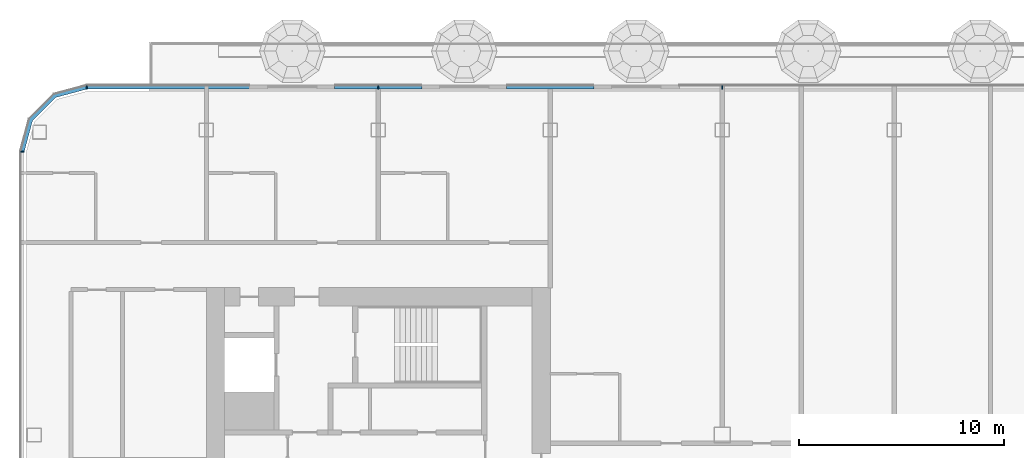
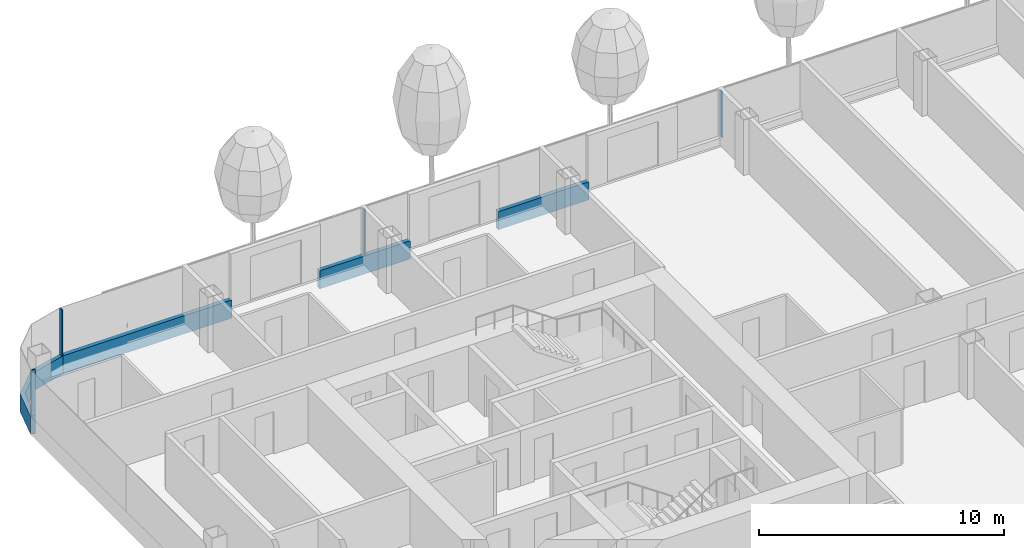
# One storey, part 5 of 29: 8 members, 3 elements without a shape of their own.
"""IFC4 building model written with IfcOpenShell, lengths in metres."""

from ifc_helpers import new_model, si_unit, direction, frame, origin, origin_2d, place, context, subcontext, project, spatial, polyline, rectangle, outline, extrude, material, layer, layer_set, material_profile, profile_set, type_object, element, aggregate, save


model = new_model("IFC4")

# Units and contexts
model_context = context("Model", 3, precision=1e-05, world=origin(), true_north=direction((0.0, 1.0)))
body_context = subcontext(model_context, "Body", "Model", "MODEL_VIEW")
ifc_project = project(units=[si_unit("LENGTHUNIT", "METRE"), si_unit("AREAUNIT", "SQUARE_METRE"), si_unit("VOLUMEUNIT", "CUBIC_METRE"), si_unit("PLANEANGLEUNIT", "RADIAN"), si_unit("MASSUNIT", "GRAM", prefix="KILO")], contexts=[model_context])

# Site, building, storey
site_placement = place(None, origin())
site = spatial("IfcSite", under=ifc_project, at=site_placement, CompositionType="ELEMENT")
building_placement = place(site_placement, origin())
building = spatial("IfcBuilding", under=site, at=building_placement, Name="Hakoniwa Tower and Hamabe Station Hall", CompositionType="ELEMENT")
storey_placement = place(building_placement, frame((0.0, 0.0, 163.0)))
storey = spatial("IfcBuildingStorey", under=building, at=storey_placement, Name="L46", CompositionType="ELEMENT", Elevation=163.0)

# Curtain wall, members
ifc_material_1 = material(Name="Dark low-e laminated glass", Category="glass")
ifc_layer = layer(ifc_material_1, 0.199951171875)
ifc_layer_set = layer_set([ifc_layer], Name="CW-1 UNITISED GUEST")
curtain_wall_type = type_object("IfcCurtainWallType", Name="CW-1 UNITISED GUEST", PredefinedType="NOTDEFINED", material=ifc_layer_set)
curtain_wall_1_placement = place(storey_placement, origin())
curtain_wall_1 = element("IfcCurtainWall", 1, at=curtain_wall_1_placement, inside=storey, type_object=curtain_wall_type, Name="CW-1 curtain wall", PredefinedType="NOTDEFINED")
ifc_material_2 = material(Name="Aluminium 6063-T5 black anodised", Category="aluminium")
ifc_material_profile_1 = material_profile(ifc_material_2, rectangle(XDim=0.199951171875, YDim=0.89990234375, at=origin_2d()), Name="CW SLAB-EDGE BAND 900X200")
ifc_profile_set_1 = profile_set([ifc_material_profile_1], Name="Aluminium 6063-T5 black anodised")
member_type_1 = type_object("IfcMemberType", Name="CW SLAB-EDGE BAND 900X200", PredefinedType="USERDEFINED", material=ifc_profile_set_1)
member_1_placement = place(storey_placement, frame((-14.669921875, 18.199951171875, -0.10009765625), z_axis=(-1.0, 0.0, 0.0), x_axis=(0.0, -1.0, 0.0)))
member_1 = element("IfcMember", 2, at=member_1_placement, type_object=member_type_1, Name="CW-1 transom", ObjectType="TRANSOM", PredefinedType="USERDEFINED", context=body_context, shape_type="SweptSolid", body=[
    extrude(rectangle(XDim=0.199951171875, YDim=0.89990234375, at=origin_2d()), origin(), (0.0, 0.0, 1.0), 4.260009765625),
])
member_2_placement = place(storey_placement, frame((-23.070068359375, 18.199951171875, -0.10009765625), z_axis=(-1.0, 0.0, 0.0), x_axis=(0.0, -1.0, 0.0)))
member_2 = element("IfcMember", 3, at=member_2_placement, type_object=member_type_1, Name="CW-1 transom", ObjectType="TRANSOM", PredefinedType="USERDEFINED", context=body_context, shape_type="SweptSolid", body=[
    extrude(rectangle(XDim=0.199951171875, YDim=0.89990234375, at=origin_2d()), origin(), (0.0, 0.0, 1.0), 4.260009765625),
])
member_3_placement = place(storey_placement, frame((-31.469970703125, 18.199951171875, -0.10009765625), z_axis=(-1.0, 0.0, 0.0), x_axis=(0.0, -1.0, 0.0)))
member_3 = element("IfcMember", 4, at=member_3_placement, type_object=member_type_1, Name="CW-1 transom", ObjectType="TRANSOM", PredefinedType="USERDEFINED", context=body_context, shape_type="SweptSolid", body=[
    extrude(rectangle(XDim=0.199951171875, YDim=0.89990234375, at=origin_2d()), origin(), (0.0, 0.0, 1.0), 7.969482421875),
])

# Curtain wall, member
curtain_wall_2_placement = place(storey_placement, origin())
curtain_wall_2 = element("IfcCurtainWall", 5, at=curtain_wall_2_placement, inside=storey, type_object=curtain_wall_type, Name="CW-1 curtain wall", PredefinedType="NOTDEFINED")
member_4_placement = place(storey_placement, frame((0.0, 0.0, -0.550048828125)))
member_4 = element("IfcMember", 6, at=member_4_placement, type_object=member_type_1, Name="CW-1 transom", ObjectType="TRANSOM", PredefinedType="USERDEFINED", context=body_context, shape_type="SweptSolid", body=[
    extrude(outline(polyline([(-39.439453125, 18.300048828125), (-41.05517578125, 17.866943359375), (-42.26708984375, 16.6552734375), (-42.699951171875, 15.03955078125), (-42.5068359375, 14.98779296875), (-42.087646484375, 16.5517578125), (-40.95166015625, 17.687744140625), (-39.3876953125, 18.10693359375), (-39.439453125, 18.300048828125)])), origin(), (0.0, 0.0, 1.0), 0.900146484375),
])
aggregate(curtain_wall_2, [member_4])

# Member
ifc_material_3 = material(Name="Aluminium 6063-T5 black anodised", Category="aluminium")
ifc_material_profile_2 = material_profile(ifc_material_3, rectangle(XDim=0.06005859375, YDim=0.179931640625, at=origin_2d()), Name="CW-1 MULLION 60X180")
ifc_profile_set_2 = profile_set([ifc_material_profile_2], Name="Aluminium 6063-T5 black anodised")
member_type_2 = type_object("IfcMemberType", Name="CW-1 MULLION 60X180", PredefinedType="MULLION", material=ifc_profile_set_2)
member_5_placement = place(storey_placement, frame((-8.39990234375, 18.181884765625, 0.35009765625), z_axis=(0.0, 0.0, 1.0), x_axis=(-1.0, 0.0, 0.0)))
member_5 = element("IfcMember", 7, at=member_5_placement, type_object=member_type_2, Name="CW-1 mullion", PredefinedType="MULLION", context=body_context, shape_type="SweptSolid", body=[
    extrude(rectangle(XDim=0.06005859375, YDim=0.179931640625, at=origin_2d()), origin(), (0.0, 0.0, 1.0), 2.2998046875),
])

member_6_placement = place(storey_placement, frame((-25.199951171875, 18.181884765625, 0.35009765625), z_axis=(0.0, 0.0, 1.0), x_axis=(-1.0, 0.0, 0.0)))
member_6 = element("IfcMember", 8, at=member_6_placement, type_object=member_type_2, Name="CW-1 mullion", PredefinedType="MULLION", context=body_context, shape_type="SweptSolid", body=[
    extrude(rectangle(XDim=0.06005859375, YDim=0.179931640625, at=origin_2d()), origin(), (0.0, 0.0, 1.0), 2.2998046875),
])

member_7_placement = place(storey_placement, frame((-39.439453125, 18.181884765625, 0.35009765625), z_axis=(0.0, 0.0, 1.0), x_axis=(-1.0, 0.0, 0.0)))
member_7 = element("IfcMember", 9, at=member_7_placement, type_object=member_type_2, Name="CW-1 mullion", PredefinedType="MULLION", context=body_context, shape_type="SweptSolid", body=[
    extrude(rectangle(XDim=0.06005859375, YDim=0.179931640625, at=origin_2d()), origin(), (0.0, 0.0, 1.0), 2.2998046875),
])

aggregate(curtain_wall_1, [member_5, member_6, member_7, member_1, member_2, member_3])

# Curtain wall, member
curtain_wall_3_placement = place(storey_placement, origin())
curtain_wall_3 = element("IfcCurtainWall", 10, at=curtain_wall_3_placement, inside=storey, type_object=curtain_wall_type, Name="CW-1 curtain wall", PredefinedType="NOTDEFINED")
member_8_placement = place(storey_placement, frame((-42.58203125, 15.03955078125, 0.35009765625), z_axis=(0.0, 0.0, 1.0), x_axis=(0.0, -1.0, 0.0)))
member_8 = element("IfcMember", 11, at=member_8_placement, type_object=member_type_2, Name="CW-1 mullion", PredefinedType="MULLION", context=body_context, shape_type="SweptSolid", body=[
    extrude(rectangle(XDim=0.06005859375, YDim=0.179931640625, at=origin_2d()), origin(), (0.0, 0.0, 1.0), 2.2998046875),
])
aggregate(curtain_wall_3, [member_8])

save(model, "model.ifc")
